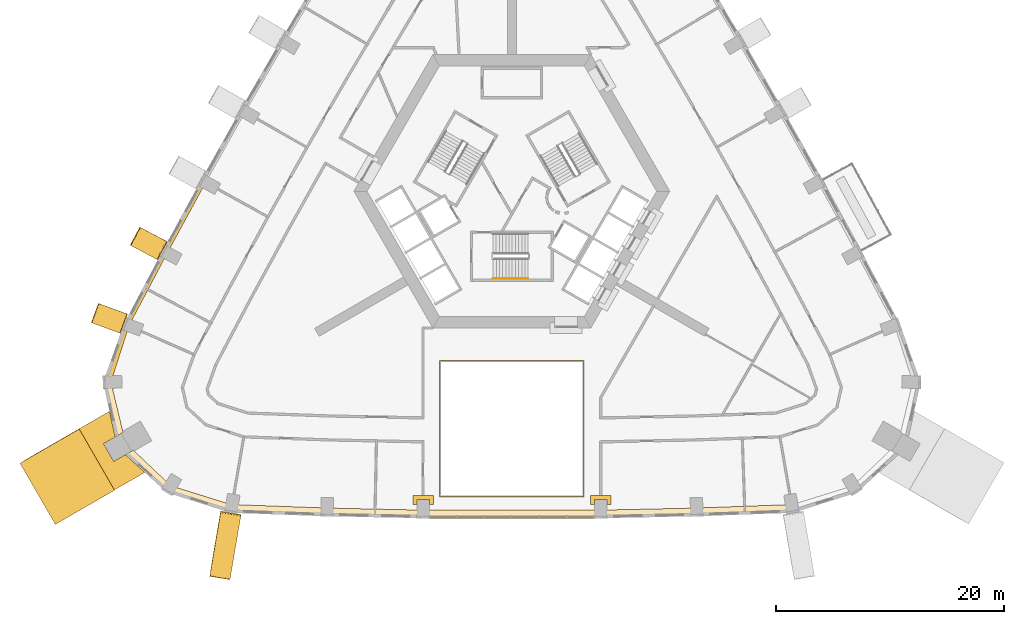
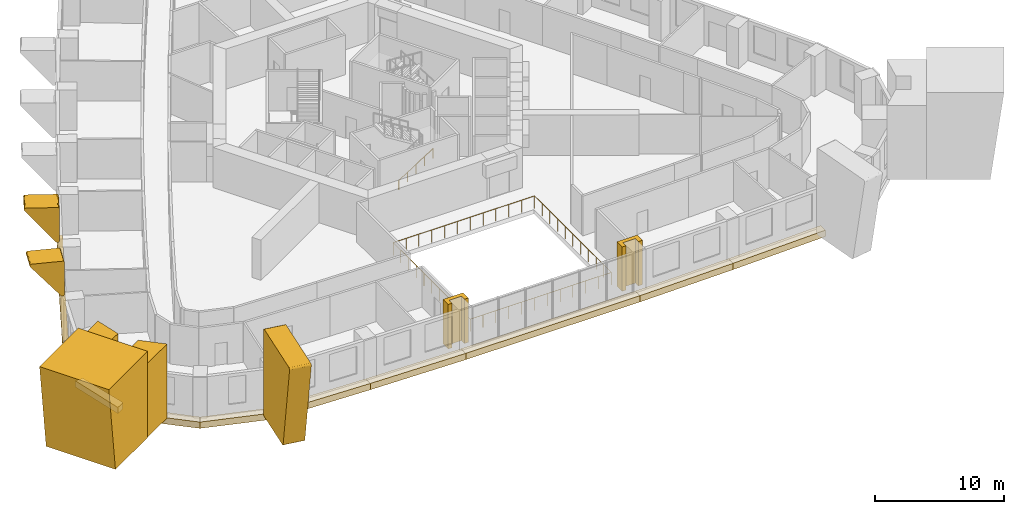
# One storey, part 12 of 14: 18 coverings, 2 railings.
"""IFC4 building model written with IfcOpenShell, lengths in metres."""

from ifc_helpers import new_model, si_unit, direction, frame, origin, origin_2d, place, context, subcontext, project, spatial, polyline, circle, outline, extrude, material, type_object, element, save


model = new_model("IFC4")

# Units and contexts
model_context = context("Model", 3, precision=1e-05, world=origin(), true_north=direction((0.0, 1.0)))
body_context = subcontext(model_context, "Body", "Model", "MODEL_VIEW")
ifc_project = project(units=[si_unit("LENGTHUNIT", "METRE"), si_unit("AREAUNIT", "SQUARE_METRE"), si_unit("VOLUMEUNIT", "CUBIC_METRE"), si_unit("PLANEANGLEUNIT", "RADIAN"), si_unit("MASSUNIT", "GRAM", prefix="KILO")], contexts=[model_context])

# Site, building, storey
site_placement = place(None, origin())
site = spatial("IfcSite", under=ifc_project, at=site_placement, CompositionType="ELEMENT")
building_placement = place(site_placement, origin())
building = spatial("IfcBuilding", under=site, at=building_placement, Name="Entoto Arch Interchange Tower", CompositionType="ELEMENT")
storey_placement = place(building_placement, frame((0.0, 0.0, 176.0)))
storey = spatial("IfcBuildingStorey", under=building, at=storey_placement, Name="L39", CompositionType="ELEMENT", Elevation=176.0)

# Railing
ifc_material_1 = material(Name="Stainless steel 1.4301", Category="steel")
railing_type_1 = type_object("IfcRailingType", Name="ATRIUM GUARD 1200 STEEL AND GLASS", PredefinedType="GUARDRAIL", material=ifc_material_1)
railing_1_placement = place(storey_placement, frame((6.320068359375, -24.30908203125, 0.0)))
element("IfcRailing", 1, at=railing_1_placement, inside=storey, type_object=railing_type_1, Name="Atrium guard L39", PredefinedType="GUARDRAIL", context=body_context, shape_type="SweptSolid", body=[
    extrude(circle(Radius=0.02392578125, at=origin_2d()), frame((0.0, 0.0, 1.17578125), z_axis=(-1.0, 0.0, 0.0), x_axis=(0.0, -1.0, 0.0)), (0.0, 0.0, 1.0), 12.64013671875),
    extrude(circle(Radius=0.02392578125, at=origin_2d()), frame((-12.64013671875, 0.0, 1.17578125), z_axis=(0.0, 1.0, 0.0), x_axis=(-1.0, 0.0, 0.0)), (0.0, 0.0, 1.0), 11.92919921875),
    extrude(circle(Radius=0.02392578125, at=origin_2d()), frame((-12.64013671875, 11.92919921875, 1.17578125), z_axis=(1.0, 0.0, 0.0), x_axis=(0.0, 1.0, 0.0)), (0.0, 0.0, 1.0), 12.64013671875),
    extrude(circle(Radius=0.02392578125, at=origin_2d()), frame((0.0, 11.92919921875, 1.17578125), z_axis=(0.0, -1.0, 0.0), x_axis=(1.0, 0.0, 0.0)), (0.0, 0.0, 1.0), 11.92919921875),
    extrude(circle(Radius=0.02099609375, at=origin_2d()), origin(), (0.0, 0.0, 1.0), 1.15185546875),
    extrude(circle(Radius=0.02099609375, at=origin_2d()), frame((-1.149169921875, 0.0, 0.0)), (0.0, 0.0, 1.0), 1.15185546875),
    extrude(circle(Radius=0.02099609375, at=origin_2d()), frame((-2.298095703125, 0.0, 0.0)), (0.0, 0.0, 1.0), 1.15185546875),
    extrude(circle(Radius=0.02099609375, at=origin_2d()), frame((-3.447265625, 0.0, 0.0)), (0.0, 0.0, 1.0), 1.15185546875),
    extrude(circle(Radius=0.02099609375, at=origin_2d()), frame((-4.596435546875, 0.0, 0.0)), (0.0, 0.0, 1.0), 1.15185546875),
    extrude(circle(Radius=0.02099609375, at=origin_2d()), frame((-5.74560546875, 0.0, 0.0)), (0.0, 0.0, 1.0), 1.15185546875),
    extrude(circle(Radius=0.02099609375, at=origin_2d()), frame((-6.89453125, 0.0, 0.0)), (0.0, 0.0, 1.0), 1.15185546875),
    extrude(circle(Radius=0.02099609375, at=origin_2d()), frame((-8.043701171875, 0.0, 0.0)), (0.0, 0.0, 1.0), 1.15185546875),
    extrude(circle(Radius=0.02099609375, at=origin_2d()), frame((-9.19287109375, 0.0, 0.0)), (0.0, 0.0, 1.0), 1.15185546875),
    extrude(circle(Radius=0.02099609375, at=origin_2d()), frame((-10.342041015625, 0.0, 0.0)), (0.0, 0.0, 1.0), 1.15185546875),
    extrude(circle(Radius=0.02099609375, at=origin_2d()), frame((-11.490966796875, 0.0, 0.0)), (0.0, 0.0, 1.0), 1.15185546875),
    extrude(circle(Radius=0.02099609375, at=origin_2d()), frame((-12.64013671875, 0.0, 0.0)), (0.0, 0.0, 1.0), 1.15185546875),
    extrude(circle(Radius=0.02099609375, at=origin_2d()), frame((-12.64013671875, 1.19287109375, 0.0)), (0.0, 0.0, 1.0), 1.15185546875),
    extrude(circle(Radius=0.02099609375, at=origin_2d()), frame((-12.64013671875, 2.3857421875, 0.0)), (0.0, 0.0, 1.0), 1.15185546875),
    extrude(circle(Radius=0.02099609375, at=origin_2d()), frame((-12.64013671875, 3.578857421875, 0.0)), (0.0, 0.0, 1.0), 1.15185546875),
    extrude(circle(Radius=0.02099609375, at=origin_2d()), frame((-12.64013671875, 4.771728515625, 0.0)), (0.0, 0.0, 1.0), 1.15185546875),
    extrude(circle(Radius=0.02099609375, at=origin_2d()), frame((-12.64013671875, 5.964599609375, 0.0)), (0.0, 0.0, 1.0), 1.15185546875),
    extrude(circle(Radius=0.02099609375, at=origin_2d()), frame((-12.64013671875, 7.157470703125, 0.0)), (0.0, 0.0, 1.0), 1.15185546875),
    extrude(circle(Radius=0.02099609375, at=origin_2d()), frame((-12.64013671875, 8.350341796875, 0.0)), (0.0, 0.0, 1.0), 1.15185546875),
    extrude(circle(Radius=0.02099609375, at=origin_2d()), frame((-12.64013671875, 9.54345703125, 0.0)), (0.0, 0.0, 1.0), 1.15185546875),
    extrude(circle(Radius=0.02099609375, at=origin_2d()), frame((-12.64013671875, 10.736328125, 0.0)), (0.0, 0.0, 1.0), 1.15185546875),
    extrude(circle(Radius=0.02099609375, at=origin_2d()), frame((-12.64013671875, 11.92919921875, 0.0)), (0.0, 0.0, 1.0), 1.15185546875),
    extrude(circle(Radius=0.02099609375, at=origin_2d()), frame((-11.490966796875, 11.92919921875, 0.0)), (0.0, 0.0, 1.0), 1.15185546875),
    extrude(circle(Radius=0.02099609375, at=origin_2d()), frame((-10.342041015625, 11.92919921875, 0.0)), (0.0, 0.0, 1.0), 1.15185546875),
    extrude(circle(Radius=0.02099609375, at=origin_2d()), frame((-9.19287109375, 11.92919921875, 0.0)), (0.0, 0.0, 1.0), 1.15185546875),
    extrude(circle(Radius=0.02099609375, at=origin_2d()), frame((-8.043701171875, 11.92919921875, 0.0)), (0.0, 0.0, 1.0), 1.15185546875),
    extrude(circle(Radius=0.02099609375, at=origin_2d()), frame((-6.89453125, 11.92919921875, 0.0)), (0.0, 0.0, 1.0), 1.15185546875),
    extrude(circle(Radius=0.02099609375, at=origin_2d()), frame((-5.74560546875, 11.92919921875, 0.0)), (0.0, 0.0, 1.0), 1.15185546875),
    extrude(circle(Radius=0.02099609375, at=origin_2d()), frame((-4.596435546875, 11.92919921875, 0.0)), (0.0, 0.0, 1.0), 1.15185546875),
    extrude(circle(Radius=0.02099609375, at=origin_2d()), frame((-3.447265625, 11.92919921875, 0.0)), (0.0, 0.0, 1.0), 1.15185546875),
    extrude(circle(Radius=0.02099609375, at=origin_2d()), frame((-2.298095703125, 11.92919921875, 0.0)), (0.0, 0.0, 1.0), 1.15185546875),
    extrude(circle(Radius=0.02099609375, at=origin_2d()), frame((-1.149169921875, 11.92919921875, 0.0)), (0.0, 0.0, 1.0), 1.15185546875),
    extrude(circle(Radius=0.02099609375, at=origin_2d()), frame((0.0, 11.92919921875, 0.0)), (0.0, 0.0, 1.0), 1.15185546875),
    extrude(circle(Radius=0.02099609375, at=origin_2d()), frame((0.0, 10.736328125, 0.0)), (0.0, 0.0, 1.0), 1.15185546875),
    extrude(circle(Radius=0.02099609375, at=origin_2d()), frame((0.0, 9.54345703125, 0.0)), (0.0, 0.0, 1.0), 1.15185546875),
    extrude(circle(Radius=0.02099609375, at=origin_2d()), frame((0.0, 8.350341796875, 0.0)), (0.0, 0.0, 1.0), 1.15185546875),
    extrude(circle(Radius=0.02099609375, at=origin_2d()), frame((0.0, 7.157470703125, 0.0)), (0.0, 0.0, 1.0), 1.15185546875),
    extrude(circle(Radius=0.02099609375, at=origin_2d()), frame((0.0, 5.964599609375, 0.0)), (0.0, 0.0, 1.0), 1.15185546875),
    extrude(circle(Radius=0.02099609375, at=origin_2d()), frame((0.0, 4.771728515625, 0.0)), (0.0, 0.0, 1.0), 1.15185546875),
    extrude(circle(Radius=0.02099609375, at=origin_2d()), frame((0.0, 3.578857421875, 0.0)), (0.0, 0.0, 1.0), 1.15185546875),
    extrude(circle(Radius=0.02099609375, at=origin_2d()), frame((0.0, 2.3857421875, 0.0)), (0.0, 0.0, 1.0), 1.15185546875),
    extrude(circle(Radius=0.02099609375, at=origin_2d()), frame((0.0, 1.19287109375, 0.0)), (0.0, 0.0, 1.0), 1.15185546875),
])

# Coverings
ifc_material_2 = material(Name="Board-marked precast concrete C50/60", Category="concrete")
covering_type_1 = type_object("IfcCoveringType", Name="PRECAST FRAME COURSE", PredefinedType="CLADDING", material=ifc_material_2)
covering_1_placement = place(storey_placement, frame((0.0, 0.0, -0.39990234375)))
element("IfcCovering", 2, at=covering_1_placement, inside=storey, type_object=covering_type_1, Name="Corner pilaster SW L39-L40", PredefinedType="CLADDING", context=body_context, shape_type="SweptSolid", body=[
    extrude(outline(polyline([(-34.867919921875, -23.7099609375), (-37.968017578125, -18.340087890625), (-35.302001953125, -16.801025390625), (-34.802978515625, -19.053955078125), (-35.827880859375, -19.64599609375), (-34.927978515625, -21.2041015625), (-33.903076171875, -20.612060546875), (-32.201904296875, -22.1708984375), (-34.867919921875, -23.7099609375)])), origin(), (0.0, 0.0, 1.0), 7.0),
])
covering_2_placement = place(storey_placement, frame((-37.968017578125, -18.340087890625, -0.39990234375), z_axis=(-0.499995166465, 0.866022792903, 0.003058706221), x_axis=(-0.866026843654, -0.499997506064, 2.58589e-07)))
element("IfcCovering", 3, at=covering_2_placement, inside=storey, type_object=covering_type_1, Name="Corner rib SW L39-L40", PredefinedType="CLADDING", context=body_context, shape_type="SweptSolid", body=[
    extrude(outline(polyline([(0.0, 0.0), (4.935337088333004, 0.0), (6.00053511070613, 8.199987978538077), (-0.0002175200023890063, 8.199990806506857), (0.0, 0.0)])), origin(), (0.0, 0.0, -1.0), 6.199951171875),
])
covering_3_placement = place(storey_placement, frame((-25.5810546875, -25.7080078125, -0.39990234375), z_axis=(-0.985741775357, 0.168238212787, 0.003009331314), x_axis=(0.1676618763, 0.980537642622, 0.102153935981)))
element("IfcCovering", 4, at=covering_3_placement, inside=storey, type_object=covering_type_1, Name="Fold rib S01 L39-L40", PredefinedType="CLADDING", context=body_context, shape_type="SweptSolid", body=[
    extrude(outline(polyline([(0.0, 0.0), (0.0286886170741278, -4.336808689942018e-19), (0.05745691814031748, -0.0051421934056678055), (0.08535271929114853, -0.016268657740787777), (0.10949797926754819, -0.032932635607936196), (0.1300483205888074, -0.053891632465938116), (0.14668953440469035, -0.07844176887122842), (0.15780092302653848, -0.10528144623863284), (0.16364144306883147, -0.13388557188521386), (0.9708287775599451, -7.992479156632019), (0.9691944450018019, -8.037068825524395), (0.9539963486104154, -8.077652824938001), (0.9383581092585831, -8.102573573961754), (0.9055473210860273, -8.1319582714575), (0.865689173053216, -8.151267384425532), (0.8369218800542791, -8.157166727113419), (-4.635886750896141, -8.719176972433084), (-4.678872228763145, -8.71745589384029), (-4.720143121520369, -8.702552720553527), (-4.755328635416015, -8.678186510672676), (-4.782317939266781, -8.643653026815212), (-4.7977075793832755, -8.603020349700127), (-4.8012392097314525, -8.559206302580778), (-4.245882281849376, -0.5606924258195637), (-4.240686801606726, -0.5319340097961848), (-4.230440047901779, -0.5036389910934466), (-4.204559803328304, -0.46686795117157), (-4.181232983491981, -0.4472918160051242), (-4.154923498478746, -0.4335474939589241), (-4.11234321346155, -0.42230151515846115), (0.0, 0.0)])), origin(), (0.0, 0.0, -1.0), 1.800048828125),
])
covering_4_placement = place(storey_placement, frame((-30.4541015625, -1.794921875, 4.530029296875), z_axis=(0.469940437897, 0.88269302173, 0.00300236883), x_axis=(0.655753452415, -0.346838254332, -0.670589766532)))
element("IfcCovering", 5, at=covering_4_placement, inside=storey, type_object=covering_type_1, Name="Fold rib NW07 L39-L40", PredefinedType="CLADDING", context=body_context, shape_type="SweptSolid", body=[
    extrude(outline(polyline([(0.0, 0.0), (0.044777472389345624, 0.0), (0.0868674454747646, -0.012375718276957076), (0.12418907688821854, -0.03689978669776122), (0.15217836425034828, -0.07009907131734217), (0.1694626174972162, -0.11139281948600376), (0.17396541152552616, -0.15594562468998113), (0.16584360898143316, -0.19829644776696292), (0.14498501448283946, -0.23736724012746457), (-1.894056129258554, -2.4935071693827933), (-1.915318169372407, -2.513451134079953), (-1.9406236736931481, -2.5284236915138774), (-1.9831020692307362, -2.5413636465708205), (-2.012500712743453, -2.543089717494225), (-2.0413615201133006, -2.5383946873303778), (-2.081811095386826, -2.522234516999293), (-2.1056571798364554, -2.5046261326423105), (-3.921657604320311, -0.8630072547844201), (-3.9493230774200025, -0.8297711198849209), (-3.9614781963790513, -0.802656250544826), (-3.968914058194934, -0.7745401571933346), (-3.9706334586690257, -0.7446827102138278), (-3.9661665696868695, -0.7161407833681093), (-3.956753760930648, -0.6884461479103972), (-3.9415740207298056, -0.663002567339869), (-3.9220915543681665, -0.6414506005948555), (-3.89830636184573, -0.6237902476753567), (-3.872039874796373, -0.6113312371105053), (-3.8437518500112917, -0.6043232629248747), (0.0, 0.0)])), origin(), (0.0, 0.0, -1.0), 1.800048828125),
])
covering_5_placement = place(storey_placement, frame((-33.965087890625, -8.179931640625, 4.531982421875), z_axis=(0.346931780171, 0.937884636617, 0.003278460724), x_axis=(0.68783960632, -0.252058498504, -0.680693168255)))
element("IfcCovering", 6, at=covering_5_placement, inside=storey, type_object=covering_type_1, Name="Fold rib NW08 L39-L40", PredefinedType="CLADDING", context=body_context, shape_type="SweptSolid", body=[
    extrude(outline(polyline([(0.0, 0.0), (0.044111425219594935, -3.469446951953614e-18), (0.08592217868731027, -0.01285333937762203), (0.12254132687618659, -0.03754708256115621), (0.1508265511742522, -0.07183194720104885), (0.1674008691113587, -0.11322716806924206), (0.1710563873584018, -0.15761359021416319), (0.16226897891585265, -0.20010605988669486), (0.14089016109901312, -0.2388966685281701), (-1.9266792768114254, -2.4659257193653614), (-1.9487165805937132, -2.4851078811900345), (-1.9741079681278877, -2.499840138299984), (-2.0165054951889196, -2.512432844718222), (-2.0463522131197824, -2.513361656262739), (-2.0749703550585776, -2.5084339132270337), (-2.1158963516044182, -2.4910662849611636), (-2.138885871417142, -2.4737033888382474), (-3.9200956378202294, -0.8186173008003317), (-3.9472352703004105, -0.785067256873182), (-3.9595837251515764, -0.7572616157382401), (-3.9659261175057807, -0.7297062779362269), (-3.968099930584863, -0.7003558083615233), (-3.962457349926973, -0.6712750709352089), (-3.9527799886600947, -0.6436075813451816), (-3.9379337043254736, -0.6190727300475163), (-3.9181646854606935, -0.5964517873106925), (-3.8943628855350583, -0.5802414249766352), (-3.8681512969506393, -0.5679397183207326), (-3.839559797369121, -0.560177773036987), (0.0, 0.0)])), origin(), (0.0, 0.0, -1.0), 1.800048828125),
])
covering_6_placement = place(storey_placement, frame((0.0, 0.0, -0.39990234375)))
element("IfcCovering", 7, at=covering_6_placement, inside=storey, type_object=covering_type_1, Name="Gate pier L39", PredefinedType="CLADDING", context=body_context, shape_type="SweptSolid", body=[
    extrude(outline(polyline([(-8.68896484375, -24.18896484375), (-6.888916015625, -24.18896484375), (-6.888916015625, -24.9990234375), (-7.239013671875, -24.9990234375), (-7.239013671875, -24.5390625), (-8.339111328125, -24.5390625), (-8.339111328125, -24.9990234375), (-8.68896484375, -24.9990234375), (-8.68896484375, -24.18896484375)])), origin(), (0.0, 0.0, 1.0), 4.199951171875),
])
covering_7_placement = place(storey_placement, frame((0.0, 0.0, -0.39990234375)))
element("IfcCovering", 8, at=covering_7_placement, inside=storey, type_object=covering_type_1, Name="Gate pier L39", PredefinedType="CLADDING", context=body_context, shape_type="SweptSolid", body=[
    extrude(outline(polyline([(6.888916015625, -24.18896484375), (8.68896484375, -24.18896484375), (8.68896484375, -24.9990234375), (8.339111328125, -24.9990234375), (8.339111328125, -24.5390625), (7.239013671875, -24.5390625), (7.239013671875, -24.9990234375), (6.888916015625, -24.9990234375), (6.888916015625, -24.18896484375)])), origin(), (0.0, 0.0, 1.0), 4.199951171875),
])
covering_type_2 = type_object("IfcCoveringType", Name="PRECAST LEDGE COURSE", PredefinedType="CLADDING", material=ifc_material_2)
covering_8_placement = place(storey_placement, frame((0.0, 0.0, -1.0)))
element("IfcCovering", 9, at=covering_8_placement, inside=storey, type_object=covering_type_2, Name="Precast course S-01 L39", PredefinedType="CLADDING", context=body_context, shape_type="SweptSolid", body=[
    extrude(outline(polyline([(-16.23388671875, -25.2900390625), (-16.23388671875, -26.012939453125), (-24.6689453125, -25.7119140625), (-24.6689453125, -24.97705078125), (-16.23388671875, -25.2900390625)])), origin(), (0.0, 0.0, 1.0), 0.60009765625),
])
covering_9_placement = place(storey_placement, frame((0.0, 0.0, -1.0)))
element("IfcCovering", 10, at=covering_9_placement, inside=storey, type_object=covering_type_2, Name="Precast course S-02 L39", PredefinedType="CLADDING", context=body_context, shape_type="SweptSolid", body=[
    extrude(outline(polyline([(-7.800048828125, -25.472900390625), (-7.800048828125, -26.18896484375), (-16.23388671875, -26.012939453125), (-16.23388671875, -25.2900390625), (-7.800048828125, -25.472900390625)])), origin(), (0.0, 0.0, 1.0), 0.60009765625),
])
covering_10_placement = place(storey_placement, frame((0.0, 0.0, -1.0)))
element("IfcCovering", 11, at=covering_10_placement, inside=storey, type_object=covering_type_2, Name="Precast course S-03 L39", PredefinedType="CLADDING", context=body_context, shape_type="SweptSolid", body=[
    extrude(outline(polyline([(7.800048828125, -25.472900390625), (7.800048828125, -26.18896484375), (-7.800048828125, -26.18896484375), (-7.800048828125, -25.472900390625), (7.800048828125, -25.472900390625)])), origin(), (0.0, 0.0, 1.0), 0.60009765625),
])
covering_11_placement = place(storey_placement, frame((0.0, 0.0, -1.0)))
element("IfcCovering", 12, at=covering_11_placement, inside=storey, type_object=covering_type_2, Name="Precast course S-04 L39", PredefinedType="CLADDING", context=body_context, shape_type="SweptSolid", body=[
    extrude(outline(polyline([(16.23388671875, -25.2900390625), (16.23388671875, -26.012939453125), (7.800048828125, -26.18896484375), (7.800048828125, -25.472900390625), (16.23388671875, -25.2900390625)])), origin(), (0.0, 0.0, 1.0), 0.60009765625),
])
covering_12_placement = place(storey_placement, frame((0.0, 0.0, -1.0)))
element("IfcCovering", 13, at=covering_12_placement, inside=storey, type_object=covering_type_2, Name="Precast course S-05 L39", PredefinedType="CLADDING", context=body_context, shape_type="SweptSolid", body=[
    extrude(outline(polyline([(24.6689453125, -24.97705078125), (24.6689453125, -25.7119140625), (16.23388671875, -26.012939453125), (16.23388671875, -25.2900390625), (24.6689453125, -24.97705078125)])), origin(), (0.0, 0.0, 1.0), 0.60009765625),
])
covering_13_placement = place(storey_placement, frame((0.0, 0.0, -1.0)))
element("IfcCovering", 14, at=covering_13_placement, inside=storey, type_object=covering_type_2, Name="Precast course NW-06 L39", PredefinedType="CLADDING", context=body_context, shape_type="SweptSolid", body=[
    extrude(outline(polyline([(-30.23388671875, -2.931884765625), (-30.64111328125, -2.715087890625), (-27.257080078125, 3.492919921875), (-26.860107421875, 3.27490234375), (-30.23388671875, -2.931884765625)])), origin(), (0.0, 0.0, 1.0), 0.60009765625),
])
covering_14_placement = place(storey_placement, frame((0.0, 0.0, -1.0)))
element("IfcCovering", 15, at=covering_14_placement, inside=storey, type_object=covering_type_2, Name="Precast course NW-07 L39", PredefinedType="CLADDING", context=body_context, shape_type="SweptSolid", body=[
    extrude(outline(polyline([(-33.58203125, -9.281005859375), (-34.027099609375, -9.116943359375), (-30.64111328125, -2.715087890625), (-30.23388671875, -2.931884765625), (-33.58203125, -9.281005859375)])), origin(), (0.0, 0.0, 1.0), 0.60009765625),
])
covering_15_placement = place(storey_placement, frame((0.0, 0.0, -1.0)))
element("IfcCovering", 16, at=covering_15_placement, inside=storey, type_object=covering_type_2, Name="Precast course SW-01 L39", PredefinedType="CLADDING", context=body_context, shape_type="SweptSolid", body=[
    extrude(outline(polyline([(-35.1708984375, -14.240966796875), (-35.864990234375, -14.258056640625), (-34.027099609375, -9.116943359375), (-33.58203125, -9.281005859375), (-35.1708984375, -14.240966796875)])), origin(), (0.0, 0.0, 1.0), 0.60009765625),
])
covering_16_placement = place(storey_placement, frame((0.0, 0.0, -1.0)))
element("IfcCovering", 17, at=covering_16_placement, inside=storey, type_object=covering_type_2, Name="Precast course SW-02 L39", PredefinedType="CLADDING", context=body_context, shape_type="SweptSolid", body=[
    extrude(outline(polyline([(-34.10888671875, -18.653076171875), (-34.802978515625, -19.052978515625), (-35.864990234375, -14.258056640625), (-35.1708984375, -14.240966796875), (-34.10888671875, -18.653076171875)])), origin(), (0.0, 0.0, 1.0), 0.60009765625),
])
covering_17_placement = place(storey_placement, frame((0.0, 0.0, -1.0)))
element("IfcCovering", 18, at=covering_17_placement, inside=storey, type_object=covering_type_2, Name="Precast course SW-03 L39", PredefinedType="CLADDING", context=body_context, shape_type="SweptSolid", body=[
    extrude(outline(polyline([(-29.9189453125, -23.339111328125), (-30.281005859375, -23.930908203125), (-33.903076171875, -20.612060546875), (-33.208984375, -20.2119140625), (-29.9189453125, -23.339111328125)])), origin(), (0.0, 0.0, 1.0), 0.60009765625),
])
covering_18_placement = place(storey_placement, frame((0.0, 0.0, -1.0)))
element("IfcCovering", 19, at=covering_18_placement, inside=storey, type_object=covering_type_2, Name="Precast course SW-04 L39", PredefinedType="CLADDING", context=body_context, shape_type="SweptSolid", body=[
    extrude(outline(polyline([(-24.6689453125, -24.97705078125), (-24.6689453125, -25.7119140625), (-30.281005859375, -23.930908203125), (-29.9189453125, -23.339111328125), (-24.6689453125, -24.97705078125)])), origin(), (0.0, 0.0, 1.0), 0.60009765625),
])

# Railing
railing_type_2 = type_object("IfcRailingType", Name="STAIR HANDRAIL 900 STEEL", PredefinedType="HANDRAIL", material=ifc_material_1)
railing_2_placement = place(storey_placement, frame((-1.64990234375, -5.14990234375, 0.175048828125)))
element("IfcRailing", 20, at=railing_2_placement, inside=storey, type_object=railing_type_2, Name="L39 ST-S stair handrail 1", PredefinedType="HANDRAIL", context=body_context, shape_type="SweptSolid", body=[
    extrude(circle(Radius=0.02392578125, at=origin_2d()), frame((0.0, 0.0, 0.8759765625), z_axis=(0.847979421464, 0.0, 0.530029150871), x_axis=(0.0, 1.0, 0.0)), (0.0, 0.0, 1.0), 3.632080078125),
    extrude(circle(Radius=0.02099609375, at=origin_2d()), origin(), (0.0, 0.0, 1.0), 0.851806640625),
    extrude(circle(Radius=0.02099609375, at=origin_2d()), frame((0.77001953125, 0.0, 0.481201171875)), (0.0, 0.0, 1.0), 0.851806640625),
    extrude(circle(Radius=0.02099609375, at=origin_2d()), frame((1.5400390625, 0.0, 0.96240234375)), (0.0, 0.0, 1.0), 0.851806640625),
    extrude(circle(Radius=0.02099609375, at=origin_2d()), frame((2.309814453125, 0.0, 1.44384765625)), (0.0, 0.0, 1.0), 0.851806640625),
    extrude(circle(Radius=0.02099609375, at=origin_2d()), frame((3.079833984375, 0.0, 1.925048828125)), (0.0, 0.0, 1.0), 0.851806640625),
])

save(model, "model.ifc")
